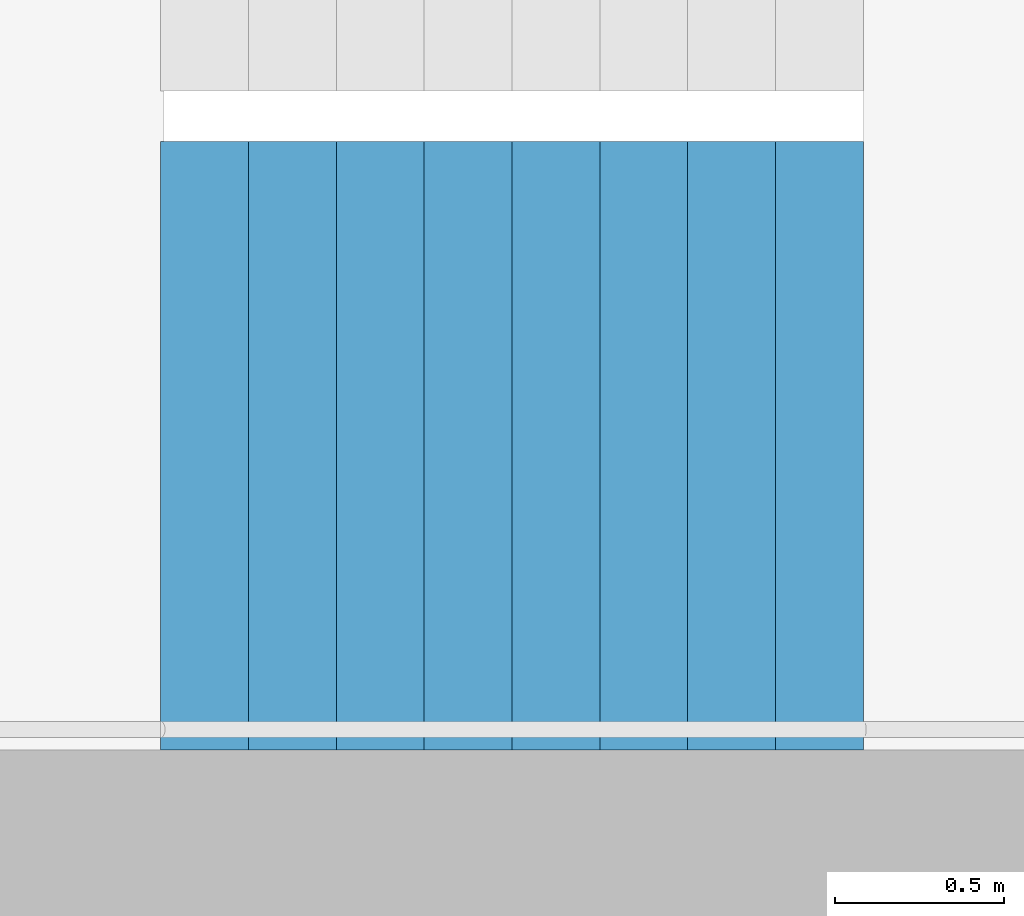
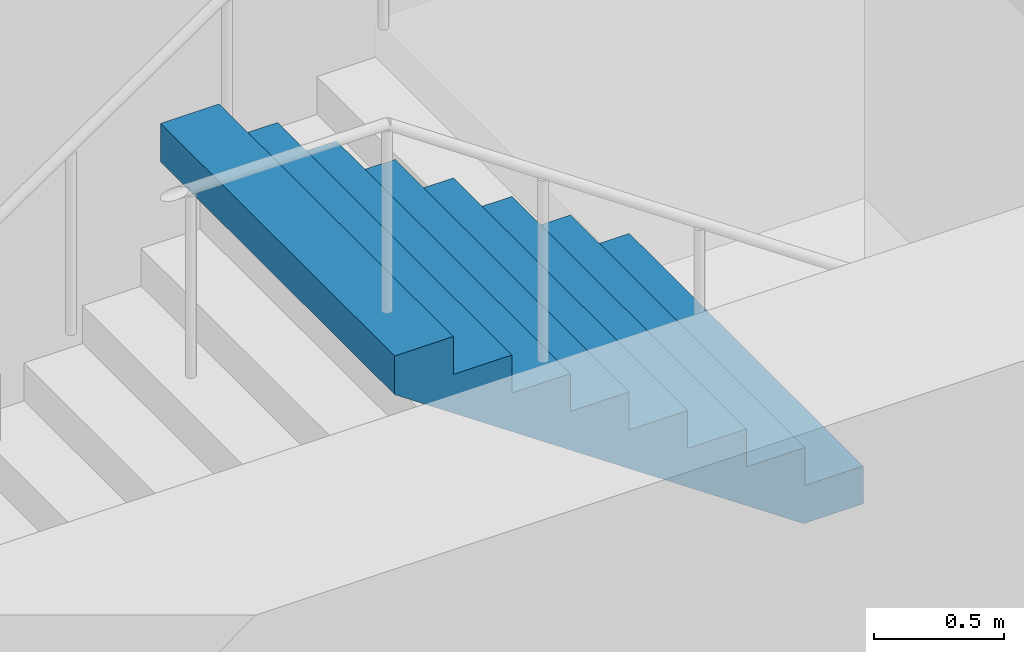
# One storey, part 23 of 27: 1 stair flight, 1 element without a shape of its own.
"""IFC4 building model written with IfcOpenShell, lengths in metres."""

from ifc_helpers import new_model, si_unit, direction, frame, origin, place, context, subcontext, project, spatial, triangles, material, type_object, element, aggregate, save


model = new_model("IFC4")

# Units and contexts
model_context = context("Model", 3, precision=1e-05, world=origin(), true_north=direction((0.0, 1.0)))
body_context = subcontext(model_context, "Body", "Model", "MODEL_VIEW")
ifc_project = project(units=[si_unit("LENGTHUNIT", "METRE"), si_unit("AREAUNIT", "SQUARE_METRE"), si_unit("VOLUMEUNIT", "CUBIC_METRE"), si_unit("PLANEANGLEUNIT", "RADIAN"), si_unit("MASSUNIT", "GRAM", prefix="KILO")], contexts=[model_context])

# Site, building, storey
site_placement = place(None, origin())
site = spatial("IfcSite", under=ifc_project, at=site_placement, CompositionType="ELEMENT")
building_placement = place(site_placement, origin())
building = spatial("IfcBuilding", under=site, at=building_placement, Name="Hakoniwa Tower and Hamabe Station Hall", CompositionType="ELEMENT")
storey_placement = place(building_placement, frame((0.0, 0.0, 255.0)))
storey = spatial("IfcBuildingStorey", under=building, at=storey_placement, Name="L72", CompositionType="ELEMENT", Elevation=255.0)

# Stair, stair flight
ifc_material_1 = material(Name="Concrete C40", Category="concrete")
stair_type = type_object("IfcStairType", Name="ESCAPE STAIR 1800", PredefinedType="HALF_TURN_STAIR", material=ifc_material_1)
stair_placement = place(storey_placement, origin())
stair = element("IfcStair", 1, at=stair_placement, inside=storey, type_object=stair_type, Name="Escape stair ST-4 L72", PredefinedType="HALF_TURN_STAIR")
ifc_material_2 = material(Name="Concrete C40", Category="concrete")
stair_flight_type = type_object("IfcStairFlightType", Name="STAIR FLIGHT 1800", PredefinedType="STRAIGHT", material=ifc_material_2)
stair_flight_placement = place(storey_placement, frame((25.47998046875, -6.60009765625, 1.60009765625), z_axis=(0.0, 0.0, 1.0), x_axis=(-1.0, 0.0, 0.0)))
stair_flight = element("IfcStairFlight", 2, at=stair_flight_placement, type_object=stair_flight_type, Name="ST-4 flight 2", NumberOfRisers=9, NumberOfTreads=8, PredefinedType="STRAIGHT", RiserHeight=0.177777778, TreadLength=0.26, context=body_context, shape_type="Tessellation", body=[
    triangles([(0.0, 0.89990234375, 0.0), (0.260009765625, 0.89990234375, 0.0), (0.265625, 0.89990234375, 0.0), (0.52001953125, 0.89990234375, 0.174072265625), (0.780029296875, 0.89990234375, 0.351806640625), (1.0400390625, 0.89990234375, 0.529541015625), (1.300048828125, 0.89990234375, 0.707275390625), (1.56005859375, 0.89990234375, 0.885009765625), (1.820068359375, 0.89990234375, 1.062744140625), (2.080078125, 0.89990234375, 1.24072265625), (2.080078125, 0.89990234375, 1.422119140625), (1.820068359375, 0.89990234375, 1.422119140625), (1.820068359375, 0.89990234375, 1.244384765625), (1.56005859375, 0.89990234375, 1.244384765625), (1.56005859375, 0.89990234375, 1.066650390625), (1.300048828125, 0.89990234375, 1.066650390625), (1.300048828125, 0.89990234375, 0.888916015625), (1.0400390625, 0.89990234375, 0.888916015625), (1.0400390625, 0.89990234375, 0.711181640625), (0.780029296875, 0.89990234375, 0.711181640625), (0.780029296875, 0.89990234375, 0.533447265625), (0.52001953125, 0.89990234375, 0.533447265625), (0.52001953125, 0.89990234375, 0.35546875), (0.265625, 0.89990234375, 0.35546875), (0.260009765625, 0.89990234375, 0.35546875), (0.260009765625, 0.89990234375, 0.177734375), (0.0, 0.89990234375, 0.177734375), (0.0, 0.06005859375, 0.0), (0.260009765625, 0.06005859375, 0.0), (0.265625, 0.06005859375, 0.0), (0.52001953125, 0.06005859375, 0.174072265625), (0.780029296875, 0.06005859375, 0.351806640625), (1.0400390625, 0.06005859375, 0.529541015625), (1.300048828125, 0.06005859375, 0.707275390625), (1.56005859375, 0.06005859375, 0.885009765625), (1.820068359375, 0.06005859375, 1.062744140625), (2.080078125, 0.06005859375, 1.24072265625), (2.080078125, 0.06005859375, 1.422119140625), (1.820068359375, 0.06005859375, 1.422119140625), (1.820068359375, 0.06005859375, 1.244384765625), (1.56005859375, 0.06005859375, 1.244384765625), (1.56005859375, 0.06005859375, 1.066650390625), (1.300048828125, 0.06005859375, 1.066650390625), (1.300048828125, 0.06005859375, 0.888916015625), (1.0400390625, 0.06005859375, 0.888916015625), (1.0400390625, 0.06005859375, 0.711181640625), (0.780029296875, 0.06005859375, 0.711181640625), (0.780029296875, 0.06005859375, 0.533447265625), (0.52001953125, 0.06005859375, 0.533447265625), (0.52001953125, 0.06005859375, 0.35546875), (0.265625, 0.06005859375, 0.35546875), (0.260009765625, 0.06005859375, 0.35546875), (0.260009765625, 0.06005859375, 0.177734375), (0.0, 0.06005859375, 0.177734375), (0.0, 0.04296875, 0.0), (0.260009765625, 0.04296875, 0.0), (0.265625, 0.04296875, 0.0), (0.52001953125, 0.04296875, 0.174072265625), (0.780029296875, 0.04296875, 0.351806640625), (1.0400390625, 0.04296875, 0.529541015625), (1.300048828125, 0.04296875, 0.707275390625), (1.56005859375, 0.04296875, 0.885009765625), (1.820068359375, 0.04296875, 1.062744140625), (2.080078125, 0.04296875, 1.24072265625), (2.080078125, 0.04296875, 1.422119140625), (1.820068359375, 0.04296875, 1.422119140625), (1.820068359375, 0.04296875, 1.244384765625), (1.56005859375, 0.04296875, 1.244384765625), (1.56005859375, 0.04296875, 1.066650390625), (1.300048828125, 0.04296875, 1.066650390625), (1.300048828125, 0.04296875, 0.888916015625), (1.0400390625, 0.04296875, 0.888916015625), (1.0400390625, 0.04296875, 0.711181640625), (0.780029296875, 0.04296875, 0.711181640625), (0.780029296875, 0.04296875, 0.533447265625), (0.52001953125, 0.04296875, 0.533447265625), (0.52001953125, 0.04296875, 0.35546875), (0.265625, 0.04296875, 0.35546875), (0.260009765625, 0.04296875, 0.35546875), (0.260009765625, 0.04296875, 0.177734375), (0.0, 0.04296875, 0.177734375), (0.0, 0.025634765625, 0.0), (0.260009765625, 0.025634765625, 0.0), (0.265625, 0.025634765625, 0.0), (0.52001953125, 0.025634765625, 0.174072265625), (0.780029296875, 0.025634765625, 0.351806640625), (1.0400390625, 0.025634765625, 0.529541015625), (1.300048828125, 0.025634765625, 0.707275390625), (1.56005859375, 0.025634765625, 0.885009765625), (1.820068359375, 0.025634765625, 1.062744140625), (2.080078125, 0.025634765625, 1.24072265625), (2.080078125, 0.025634765625, 1.422119140625), (1.820068359375, 0.025634765625, 1.422119140625), (1.820068359375, 0.025634765625, 1.244384765625), (1.56005859375, 0.025634765625, 1.244384765625), (1.56005859375, 0.025634765625, 1.066650390625), (1.300048828125, 0.025634765625, 1.066650390625), (1.300048828125, 0.025634765625, 0.888916015625), (1.0400390625, 0.025634765625, 0.888916015625), (1.0400390625, 0.025634765625, 0.711181640625), (0.780029296875, 0.025634765625, 0.711181640625), (0.780029296875, 0.025634765625, 0.533447265625), (0.52001953125, 0.025634765625, 0.533447265625), (0.52001953125, 0.025634765625, 0.35546875), (0.265625, 0.025634765625, 0.35546875), (0.260009765625, 0.025634765625, 0.35546875), (0.260009765625, 0.025634765625, 0.177734375), (0.0, 0.025634765625, 0.177734375), (0.0, 0.008544921875, 0.0), (0.260009765625, 0.008544921875, 0.0), (0.265625, 0.008544921875, 0.0), (0.52001953125, 0.008544921875, 0.174072265625), (0.780029296875, 0.008544921875, 0.351806640625), (1.0400390625, 0.008544921875, 0.529541015625), (1.300048828125, 0.008544921875, 0.707275390625), (1.56005859375, 0.008544921875, 0.885009765625), (1.820068359375, 0.008544921875, 1.062744140625), (2.080078125, 0.008544921875, 1.24072265625), (2.080078125, 0.008544921875, 1.422119140625), (1.820068359375, 0.008544921875, 1.422119140625), (1.820068359375, 0.008544921875, 1.244384765625), (1.56005859375, 0.008544921875, 1.244384765625), (1.56005859375, 0.008544921875, 1.066650390625), (1.300048828125, 0.008544921875, 1.066650390625), (1.300048828125, 0.008544921875, 0.888916015625), (1.0400390625, 0.008544921875, 0.888916015625), (1.0400390625, 0.008544921875, 0.711181640625), (0.780029296875, 0.008544921875, 0.711181640625), (0.780029296875, 0.008544921875, 0.533447265625), (0.52001953125, 0.008544921875, 0.533447265625), (0.52001953125, 0.008544921875, 0.35546875), (0.265625, 0.008544921875, 0.35546875), (0.260009765625, 0.008544921875, 0.35546875), (0.260009765625, 0.008544921875, 0.177734375), (0.0, 0.008544921875, 0.177734375), (0.0, -0.008544921875, 0.0), (0.260009765625, -0.008544921875, 0.0), (0.265625, -0.008544921875, 0.0), (0.52001953125, -0.008544921875, 0.174072265625), (0.780029296875, -0.008544921875, 0.351806640625), (1.0400390625, -0.008544921875, 0.529541015625), (1.300048828125, -0.008544921875, 0.707275390625), (1.56005859375, -0.008544921875, 0.885009765625), (1.820068359375, -0.008544921875, 1.062744140625), (2.080078125, -0.008544921875, 1.24072265625), (2.080078125, -0.008544921875, 1.422119140625), (1.820068359375, -0.008544921875, 1.422119140625), (1.820068359375, -0.008544921875, 1.244384765625), (1.56005859375, -0.008544921875, 1.244384765625), (1.56005859375, -0.008544921875, 1.066650390625), (1.300048828125, -0.008544921875, 1.066650390625), (1.300048828125, -0.008544921875, 0.888916015625), (1.0400390625, -0.008544921875, 0.888916015625), (1.0400390625, -0.008544921875, 0.711181640625), (0.780029296875, -0.008544921875, 0.711181640625), (0.780029296875, -0.008544921875, 0.533447265625), (0.52001953125, -0.008544921875, 0.533447265625), (0.52001953125, -0.008544921875, 0.35546875), (0.265625, -0.008544921875, 0.35546875), (0.260009765625, -0.008544921875, 0.35546875), (0.260009765625, -0.008544921875, 0.177734375), (0.0, -0.008544921875, 0.177734375), (0.0, -0.025634765625, 0.0), (0.260009765625, -0.025634765625, 0.0), (0.265625, -0.025634765625, 0.0), (0.52001953125, -0.025634765625, 0.174072265625), (0.780029296875, -0.025634765625, 0.351806640625), (1.0400390625, -0.025634765625, 0.529541015625), (1.300048828125, -0.025634765625, 0.707275390625), (1.56005859375, -0.025634765625, 0.885009765625), (1.820068359375, -0.025634765625, 1.062744140625), (2.080078125, -0.025634765625, 1.24072265625), (2.080078125, -0.025634765625, 1.422119140625), (1.820068359375, -0.025634765625, 1.422119140625), (1.820068359375, -0.025634765625, 1.244384765625), (1.56005859375, -0.025634765625, 1.244384765625), (1.56005859375, -0.025634765625, 1.066650390625), (1.300048828125, -0.025634765625, 1.066650390625), (1.300048828125, -0.025634765625, 0.888916015625), (1.0400390625, -0.025634765625, 0.888916015625), (1.0400390625, -0.025634765625, 0.711181640625), (0.780029296875, -0.025634765625, 0.711181640625), (0.780029296875, -0.025634765625, 0.533447265625), (0.52001953125, -0.025634765625, 0.533447265625), (0.52001953125, -0.025634765625, 0.35546875), (0.265625, -0.025634765625, 0.35546875), (0.260009765625, -0.025634765625, 0.35546875), (0.260009765625, -0.025634765625, 0.177734375), (0.0, -0.025634765625, 0.177734375), (0.0, -0.04296875, 0.0), (0.260009765625, -0.04296875, 0.0), (0.265625, -0.04296875, 0.0), (0.52001953125, -0.04296875, 0.174072265625), (0.780029296875, -0.04296875, 0.351806640625), (1.0400390625, -0.04296875, 0.529541015625), (1.300048828125, -0.04296875, 0.707275390625), (1.56005859375, -0.04296875, 0.885009765625), (1.820068359375, -0.04296875, 1.062744140625), (2.080078125, -0.04296875, 1.24072265625), (2.080078125, -0.04296875, 1.422119140625), (1.820068359375, -0.04296875, 1.422119140625), (1.820068359375, -0.04296875, 1.244384765625), (1.56005859375, -0.04296875, 1.244384765625), (1.56005859375, -0.04296875, 1.066650390625), (1.300048828125, -0.04296875, 1.066650390625), (1.300048828125, -0.04296875, 0.888916015625), (1.0400390625, -0.04296875, 0.888916015625), (1.0400390625, -0.04296875, 0.711181640625), (0.780029296875, -0.04296875, 0.711181640625), (0.780029296875, -0.04296875, 0.533447265625), (0.52001953125, -0.04296875, 0.533447265625), (0.52001953125, -0.04296875, 0.35546875), (0.265625, -0.04296875, 0.35546875), (0.260009765625, -0.04296875, 0.35546875), (0.260009765625, -0.04296875, 0.177734375), (0.0, -0.04296875, 0.177734375), (0.0, -0.06005859375, 0.0), (0.260009765625, -0.06005859375, 0.0), (0.265625, -0.06005859375, 0.0), (0.52001953125, -0.06005859375, 0.174072265625), (0.780029296875, -0.06005859375, 0.351806640625), (1.0400390625, -0.06005859375, 0.529541015625), (1.300048828125, -0.06005859375, 0.707275390625), (1.56005859375, -0.06005859375, 0.885009765625), (1.820068359375, -0.06005859375, 1.062744140625), (2.080078125, -0.06005859375, 1.24072265625), (2.080078125, -0.06005859375, 1.422119140625), (1.820068359375, -0.06005859375, 1.422119140625), (1.820068359375, -0.06005859375, 1.244384765625), (1.56005859375, -0.06005859375, 1.244384765625), (1.56005859375, -0.06005859375, 1.066650390625), (1.300048828125, -0.06005859375, 1.066650390625), (1.300048828125, -0.06005859375, 0.888916015625), (1.0400390625, -0.06005859375, 0.888916015625), (1.0400390625, -0.06005859375, 0.711181640625), (0.780029296875, -0.06005859375, 0.711181640625), (0.780029296875, -0.06005859375, 0.533447265625), (0.52001953125, -0.06005859375, 0.533447265625), (0.52001953125, -0.06005859375, 0.35546875), (0.265625, -0.06005859375, 0.35546875), (0.260009765625, -0.06005859375, 0.35546875), (0.260009765625, -0.06005859375, 0.177734375), (0.0, -0.06005859375, 0.177734375), (0.0, -0.89990234375, 0.0), (0.260009765625, -0.89990234375, 0.0), (0.265625, -0.89990234375, 0.0), (0.52001953125, -0.89990234375, 0.174072265625), (0.780029296875, -0.89990234375, 0.351806640625), (1.0400390625, -0.89990234375, 0.529541015625), (1.300048828125, -0.89990234375, 0.707275390625), (1.56005859375, -0.89990234375, 0.885009765625), (1.820068359375, -0.89990234375, 1.062744140625), (2.080078125, -0.89990234375, 1.24072265625), (2.080078125, -0.89990234375, 1.422119140625), (1.820068359375, -0.89990234375, 1.422119140625), (1.820068359375, -0.89990234375, 1.244384765625), (1.56005859375, -0.89990234375, 1.244384765625), (1.56005859375, -0.89990234375, 1.066650390625), (1.300048828125, -0.89990234375, 1.066650390625), (1.300048828125, -0.89990234375, 0.888916015625), (1.0400390625, -0.89990234375, 0.888916015625), (1.0400390625, -0.89990234375, 0.711181640625), (0.780029296875, -0.89990234375, 0.711181640625), (0.780029296875, -0.89990234375, 0.533447265625), (0.52001953125, -0.89990234375, 0.533447265625), (0.52001953125, -0.89990234375, 0.35546875), (0.265625, -0.89990234375, 0.35546875), (0.260009765625, -0.89990234375, 0.35546875), (0.260009765625, -0.89990234375, 0.177734375), (0.0, -0.89990234375, 0.177734375)], [[2, 27, 26], [245, 269, 270], [2, 1, 27], [245, 270, 244], [3, 25, 24], [246, 267, 268], [3, 26, 25], [246, 268, 269], [3, 2, 26], [246, 269, 245], [4, 24, 23], [247, 266, 267], [4, 3, 24], [247, 267, 246], [5, 22, 21], [248, 264, 265], [5, 23, 22], [248, 265, 266], [5, 4, 23], [248, 266, 247], [6, 20, 19], [249, 262, 263], [6, 21, 20], [249, 263, 264], [6, 5, 21], [249, 264, 248], [7, 18, 17], [250, 260, 261], [7, 19, 18], [250, 261, 262], [7, 6, 19], [250, 262, 249], [8, 16, 15], [251, 258, 259], [8, 17, 16], [251, 259, 260], [8, 7, 17], [251, 260, 250], [9, 14, 13], [252, 256, 257], [9, 15, 14], [252, 257, 258], [9, 8, 15], [252, 258, 251], [10, 12, 11], [253, 254, 255], [10, 13, 12], [253, 255, 256], [10, 9, 13], [253, 256, 252], [1, 2, 29], [1, 29, 28], [28, 29, 56], [28, 56, 55], [55, 56, 83], [55, 83, 82], [82, 83, 110], [82, 110, 109], [109, 110, 137], [109, 137, 136], [136, 137, 164], [136, 164, 163], [163, 164, 191], [163, 191, 190], [190, 191, 218], [190, 218, 217], [217, 218, 245], [217, 245, 244], [2, 3, 30], [2, 30, 29], [29, 30, 57], [29, 57, 56], [56, 57, 84], [56, 84, 83], [83, 84, 111], [83, 111, 110], [110, 111, 138], [110, 138, 137], [137, 138, 165], [137, 165, 164], [164, 165, 192], [164, 192, 191], [191, 192, 219], [191, 219, 218], [218, 219, 246], [218, 246, 245], [3, 4, 31], [3, 31, 30], [30, 31, 58], [30, 58, 57], [57, 58, 85], [57, 85, 84], [84, 85, 112], [84, 112, 111], [111, 112, 139], [111, 139, 138], [138, 139, 166], [138, 166, 165], [165, 166, 193], [165, 193, 192], [192, 193, 220], [192, 220, 219], [219, 220, 247], [219, 247, 246], [4, 5, 32], [4, 32, 31], [31, 32, 59], [31, 59, 58], [58, 59, 86], [58, 86, 85], [85, 86, 113], [85, 113, 112], [112, 113, 140], [112, 140, 139], [139, 140, 167], [139, 167, 166], [166, 167, 194], [166, 194, 193], [193, 194, 221], [193, 221, 220], [220, 221, 248], [220, 248, 247], [5, 6, 33], [5, 33, 32], [32, 33, 60], [32, 60, 59], [59, 60, 87], [59, 87, 86], [86, 87, 114], [86, 114, 113], [113, 114, 141], [113, 141, 140], [140, 141, 168], [140, 168, 167], [167, 168, 195], [167, 195, 194], [194, 195, 222], [194, 222, 221], [221, 222, 249], [221, 249, 248], [6, 7, 34], [6, 34, 33], [33, 34, 61], [33, 61, 60], [60, 61, 88], [60, 88, 87], [87, 88, 115], [87, 115, 114], [114, 115, 142], [114, 142, 141], [141, 142, 169], [141, 169, 168], [168, 169, 196], [168, 196, 195], [195, 196, 223], [195, 223, 222], [222, 223, 250], [222, 250, 249], [7, 8, 35], [7, 35, 34], [34, 35, 62], [34, 62, 61], [61, 62, 89], [61, 89, 88], [88, 89, 116], [88, 116, 115], [115, 116, 143], [115, 143, 142], [142, 143, 170], [142, 170, 169], [169, 170, 197], [169, 197, 196], [196, 197, 224], [196, 224, 223], [223, 224, 251], [223, 251, 250], [8, 9, 36], [8, 36, 35], [35, 36, 63], [35, 63, 62], [62, 63, 90], [62, 90, 89], [89, 90, 117], [89, 117, 116], [116, 117, 144], [116, 144, 143], [143, 144, 171], [143, 171, 170], [170, 171, 198], [170, 198, 197], [197, 198, 225], [197, 225, 224], [224, 225, 252], [224, 252, 251], [9, 10, 37], [9, 37, 36], [36, 37, 64], [36, 64, 63], [63, 64, 91], [63, 91, 90], [90, 91, 118], [90, 118, 117], [117, 118, 145], [117, 145, 144], [144, 145, 172], [144, 172, 171], [171, 172, 199], [171, 199, 198], [198, 199, 226], [198, 226, 225], [225, 226, 253], [225, 253, 252], [10, 11, 38], [10, 38, 37], [37, 38, 65], [37, 65, 64], [64, 65, 92], [64, 92, 91], [91, 92, 119], [91, 119, 118], [118, 119, 146], [118, 146, 145], [145, 146, 173], [145, 173, 172], [172, 173, 200], [172, 200, 199], [199, 200, 227], [199, 227, 226], [226, 227, 254], [226, 254, 253], [11, 12, 39], [11, 39, 38], [38, 39, 66], [38, 66, 65], [65, 66, 93], [65, 93, 92], [92, 93, 120], [92, 120, 119], [119, 120, 147], [119, 147, 146], [146, 147, 174], [146, 174, 173], [173, 174, 201], [173, 201, 200], [200, 201, 228], [200, 228, 227], [227, 228, 255], [227, 255, 254], [12, 13, 40], [12, 40, 39], [39, 40, 67], [39, 67, 66], [66, 67, 94], [66, 94, 93], [93, 94, 121], [93, 121, 120], [120, 121, 148], [120, 148, 147], [147, 148, 175], [147, 175, 174], [174, 175, 202], [174, 202, 201], [201, 202, 229], [201, 229, 228], [228, 229, 256], [228, 256, 255], [13, 14, 41], [13, 41, 40], [40, 41, 68], [40, 68, 67], [67, 68, 95], [67, 95, 94], [94, 95, 122], [94, 122, 121], [121, 122, 149], [121, 149, 148], [148, 149, 176], [148, 176, 175], [175, 176, 203], [175, 203, 202], [202, 203, 230], [202, 230, 229], [229, 230, 257], [229, 257, 256], [14, 15, 42], [14, 42, 41], [41, 42, 69], [41, 69, 68], [68, 69, 96], [68, 96, 95], [95, 96, 123], [95, 123, 122], [122, 123, 150], [122, 150, 149], [149, 150, 177], [149, 177, 176], [176, 177, 204], [176, 204, 203], [203, 204, 231], [203, 231, 230], [230, 231, 258], [230, 258, 257], [15, 16, 43], [15, 43, 42], [42, 43, 70], [42, 70, 69], [69, 70, 97], [69, 97, 96], [96, 97, 124], [96, 124, 123], [123, 124, 151], [123, 151, 150], [150, 151, 178], [150, 178, 177], [177, 178, 205], [177, 205, 204], [204, 205, 232], [204, 232, 231], [231, 232, 259], [231, 259, 258], [16, 17, 44], [16, 44, 43], [43, 44, 71], [43, 71, 70], [70, 71, 98], [70, 98, 97], [97, 98, 125], [97, 125, 124], [124, 125, 152], [124, 152, 151], [151, 152, 179], [151, 179, 178], [178, 179, 206], [178, 206, 205], [205, 206, 233], [205, 233, 232], [232, 233, 260], [232, 260, 259], [17, 18, 45], [17, 45, 44], [44, 45, 72], [44, 72, 71], [71, 72, 99], [71, 99, 98], [98, 99, 126], [98, 126, 125], [125, 126, 153], [125, 153, 152], [152, 153, 180], [152, 180, 179], [179, 180, 207], [179, 207, 206], [206, 207, 234], [206, 234, 233], [233, 234, 261], [233, 261, 260], [18, 19, 46], [18, 46, 45], [45, 46, 73], [45, 73, 72], [72, 73, 100], [72, 100, 99], [99, 100, 127], [99, 127, 126], [126, 127, 154], [126, 154, 153], [153, 154, 181], [153, 181, 180], [180, 181, 208], [180, 208, 207], [207, 208, 235], [207, 235, 234], [234, 235, 262], [234, 262, 261], [19, 20, 47], [19, 47, 46], [46, 47, 74], [46, 74, 73], [73, 74, 101], [73, 101, 100], [100, 101, 128], [100, 128, 127], [127, 128, 155], [127, 155, 154], [154, 155, 182], [154, 182, 181], [181, 182, 209], [181, 209, 208], [208, 209, 236], [208, 236, 235], [235, 236, 263], [235, 263, 262], [20, 21, 48], [20, 48, 47], [47, 48, 75], [47, 75, 74], [74, 75, 102], [74, 102, 101], [101, 102, 129], [101, 129, 128], [128, 129, 156], [128, 156, 155], [155, 156, 183], [155, 183, 182], [182, 183, 210], [182, 210, 209], [209, 210, 237], [209, 237, 236], [236, 237, 264], [236, 264, 263], [21, 22, 49], [21, 49, 48], [48, 49, 76], [48, 76, 75], [75, 76, 103], [75, 103, 102], [102, 103, 130], [102, 130, 129], [129, 130, 157], [129, 157, 156], [156, 157, 184], [156, 184, 183], [183, 184, 211], [183, 211, 210], [210, 211, 238], [210, 238, 237], [237, 238, 265], [237, 265, 264], [22, 23, 50], [22, 50, 49], [49, 50, 77], [49, 77, 76], [76, 77, 104], [76, 104, 103], [103, 104, 131], [103, 131, 130], [130, 131, 158], [130, 158, 157], [157, 158, 185], [157, 185, 184], [184, 185, 212], [184, 212, 211], [211, 212, 239], [211, 239, 238], [238, 239, 266], [238, 266, 265], [23, 24, 51], [23, 51, 50], [50, 51, 78], [50, 78, 77], [77, 78, 105], [77, 105, 104], [104, 105, 132], [104, 132, 131], [131, 132, 159], [131, 159, 158], [158, 159, 186], [158, 186, 185], [185, 186, 213], [185, 213, 212], [212, 213, 240], [212, 240, 239], [239, 240, 267], [239, 267, 266], [24, 25, 52], [24, 52, 51], [51, 52, 79], [51, 79, 78], [78, 79, 106], [78, 106, 105], [105, 106, 133], [105, 133, 132], [132, 133, 160], [132, 160, 159], [159, 160, 187], [159, 187, 186], [186, 187, 214], [186, 214, 213], [213, 214, 241], [213, 241, 240], [240, 241, 268], [240, 268, 267], [25, 26, 53], [25, 53, 52], [52, 53, 80], [52, 80, 79], [79, 80, 107], [79, 107, 106], [106, 107, 134], [106, 134, 133], [133, 134, 161], [133, 161, 160], [160, 161, 188], [160, 188, 187], [187, 188, 215], [187, 215, 214], [214, 215, 242], [214, 242, 241], [241, 242, 269], [241, 269, 268], [26, 27, 54], [26, 54, 53], [53, 54, 81], [53, 81, 80], [80, 81, 108], [80, 108, 107], [107, 108, 135], [107, 135, 134], [134, 135, 162], [134, 162, 161], [161, 162, 189], [161, 189, 188], [188, 189, 216], [188, 216, 215], [215, 216, 243], [215, 243, 242], [242, 243, 270], [242, 270, 269], [27, 1, 28], [27, 28, 54], [54, 28, 55], [54, 55, 81], [81, 55, 82], [81, 82, 108], [108, 82, 109], [108, 109, 135], [135, 109, 136], [135, 136, 162], [162, 136, 163], [162, 163, 189], [189, 163, 190], [189, 190, 216], [216, 190, 217], [216, 217, 243], [243, 217, 244], [243, 244, 270]], closed=True),
])
aggregate(stair, [stair_flight])

save(model, "model.ifc")
